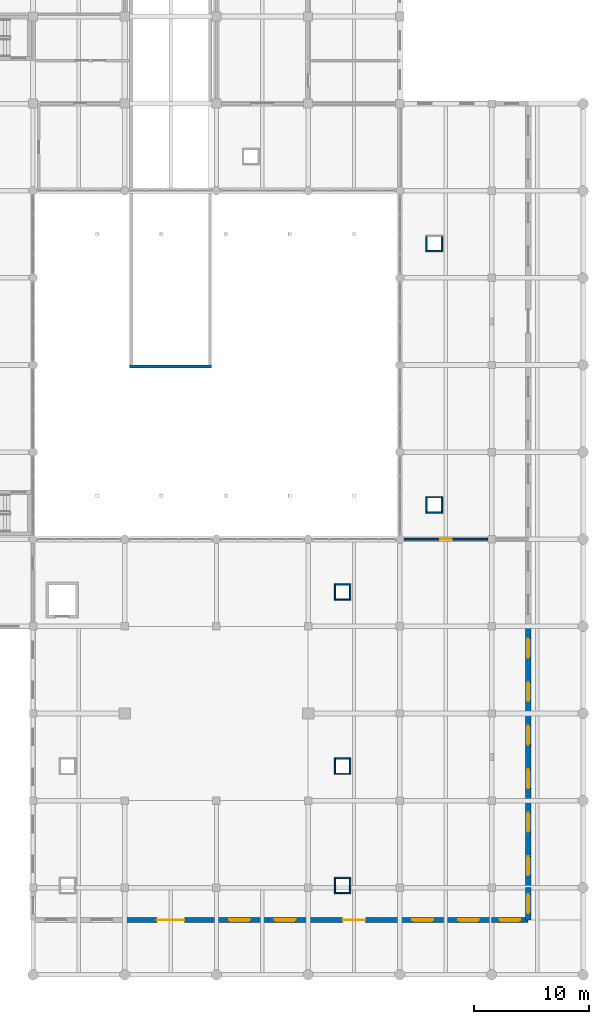
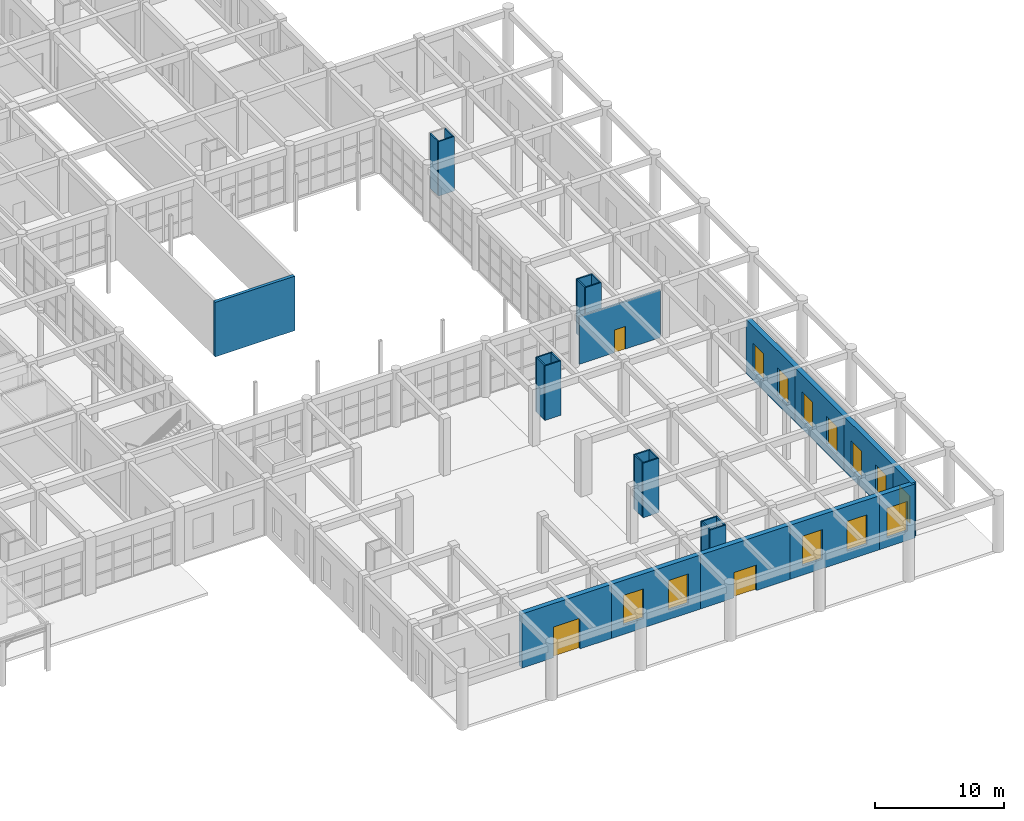
# One storey, part 81 of 95: 30 walls, 12 windows, 3 doors, 15 openings.
"""IFC4 building model written with IfcOpenShell, lengths in metres."""

from ifc_helpers import new_model, si_unit, direction, frame, frame_2d, origin, place, context, subcontext, project, spatial, rectangle, extrude, material, layer, layer_set, type_object, element, fill, save


model = new_model("IFC4")

# Units and contexts
model_context = context("Model", 3, precision=1e-05, world=origin(), true_north=direction((0.0, 1.0)))
body_context = subcontext(model_context, "Body", "Model", "MODEL_VIEW")
ifc_project = project(units=[si_unit("LENGTHUNIT", "METRE"), si_unit("AREAUNIT", "SQUARE_METRE"), si_unit("VOLUMEUNIT", "CUBIC_METRE"), si_unit("PLANEANGLEUNIT", "RADIAN"), si_unit("MASSUNIT", "GRAM", prefix="KILO")], contexts=[model_context])

# Site, building, storey
site_placement = place(None, origin())
site = spatial("IfcSite", under=ifc_project, at=site_placement, CompositionType="ELEMENT")
building_placement = place(site_placement, origin())
building = spatial("IfcBuilding", under=site, at=building_placement, Name="Zantavel Square City Hall", CompositionType="ELEMENT")
storey_placement = place(building_placement, origin())
storey = spatial("IfcBuildingStorey", under=building, at=storey_placement, Name="L01", CompositionType="ELEMENT", Elevation=0.0)

# Wall
ifc_material_1 = material(Name="Concrete C35/45", Category="concrete")
ifc_layer_1 = layer(ifc_material_1, 0.280029296875, Name="Concrete C35/45")
ifc_layer_set_1 = layer_set([ifc_layer_1], Name="Concrete C35/45")
wall_type_1 = type_object("IfcWallType", Name="Archive & Substation Vault Wall 280mm", PredefinedType="STANDARD", material=ifc_layer_set_1)
wall_1_placement = place(storey_placement, frame((135.580078125, 53.06005859375, 0.0), z_axis=(0.0, 0.0, 1.0), x_axis=(-1.0, 0.0, 0.0)))
element("IfcWall", 1, at=wall_1_placement, inside=storey, type_object=wall_type_1, Name="L01 Vehicle Ramp Shaft Wall S", PredefinedType="STANDARD", context=body_context, shape_type="SweptSolid", body=[
    extrude(rectangle(XDim=7.16015625, YDim=0.280029296875, at=frame_2d((3.580078125, 0.0))), origin(), (0.0, 0.0, 1.0), 5.159912109375),
])

# Wall, opening, door
ifc_material_2 = material(Name="Gypsum acoustic stud assembly", Category="masonry")
ifc_layer_2 = layer(ifc_material_2, 0.14990234375, Name="Gypsum acoustic stud assembly")
ifc_layer_set_2 = layer_set([ifc_layer_2], Name="Gypsum acoustic stud assembly")
wall_type_2 = type_object("IfcWallType", Name="Department Office Partition 150mm", PredefinedType="PARTITIONING", material=ifc_layer_set_2)
wall_2_placement = place(storey_placement, frame((152.385009765625, 38.0, 0.0), z_axis=(0.0, 0.0, 1.0), x_axis=(1.0, 0.0, 0.0)))
wall_2 = element("IfcWall", 2, at=wall_2_placement, inside=storey, type_object=wall_type_2, Name="L01 Interior Wall IW-L01-0130", PredefinedType="PARTITIONING", context=body_context, shape_type="SweptSolid", body=[
    extrude(rectangle(XDim=7.280029296875, YDim=0.14990234375, at=frame_2d((3.64013671875, 0.0))), origin(), (0.0, 0.0, 1.0), 4.510009765625),
])
opening_1_placement = place(wall_2_placement, frame((3.139892578125, 0.0, 0.0)))
opening_1 = element("IfcOpeningElement", 3, at=opening_1_placement, cuts=wall_2, Name="Opening D-0071", PredefinedType="OPENING", context=body_context, shape_type="SweptSolid", body=[
    extrude(rectangle(XDim=1.0, YDim=2.14990234375, at=frame_2d((0.5, 1.074951171875))), frame((0.0, 0.0849609375, 0.0), z_axis=(0.0, -1.0, 0.0), x_axis=(1.0, 0.0, 0.0)), (0.0, 0.0, 1.0), 0.169921875),
])
ifc_material_3 = material(Name="Solid oak hardwood", Category="wood")
door_type_1 = type_object("IfcDoorType", Name="Suite Internal Oak Single Door 1000x2150", OperationType="NOTDEFINED", PredefinedType="DOOR", material=ifc_material_3)
door_1_placement = place(opening_1_placement, origin())
door_1 = element("IfcDoor", 4, at=door_1_placement, inside=storey, type_object=door_type_1, Name="L01 Municipal Treasury Cashiers Hall Door", OperationType="SINGLE_SWING_LEFT", OverallHeight=2.14990234375, OverallWidth=1.0, PredefinedType="DOOR", context=body_context, shape_type="SweptSolid", body=[
    extrude(rectangle(XDim=1.0, YDim=2.14990234375, at=frame_2d((0.5, 1.074951171875))), frame((0.0, 0.02490234375, 0.0), z_axis=(0.0, -1.0, 0.0), x_axis=(1.0, 0.0, 0.0)), (0.0, 0.0, 1.0), 0.050048828125),
])
fill(opening_1, door_1)

# Walls
ifc_layer_3 = layer(ifc_material_1, 0.1201171875, Name="Concrete C35/45")
ifc_layer_set_3 = layer_set([ifc_layer_3], Name="Concrete C35/45")
wall_type_3 = type_object("IfcWallType", Name="Riser Chase Wall RC 120mm C35/45", PredefinedType="PARTITIONING", material=ifc_layer_set_3)
wall_3_placement = place(storey_placement, frame((147.719970703125, 7.139892578125, 0.0), z_axis=(0.0, 0.0, 1.0), x_axis=(-1.0, 0.0, 0.0)))
element("IfcWall", 5, at=wall_3_placement, inside=storey, type_object=wall_type_3, Name="L01 MEP Riser 07 Wall S", PredefinedType="PARTITIONING", context=body_context, shape_type="SweptSolid", body=[
    extrude(rectangle(XDim=1.43994140625, YDim=0.1201171875, at=frame_2d((0.719970703125, 0.0))), origin(), (0.0, 0.0, 1.0), 5.14990234375),
])
wall_4_placement = place(storey_placement, frame((146.340087890625, 7.199951171875, 0.0), z_axis=(0.0, 0.0, 1.0), x_axis=(0.0, 1.0, 0.0)))
element("IfcWall", 6, at=wall_4_placement, inside=storey, type_object=wall_type_3, Name="L01 MEP Riser 07 Wall W", PredefinedType="PARTITIONING", context=body_context, shape_type="SweptSolid", body=[
    extrude(rectangle(XDim=1.199951171875, YDim=0.1201171875, at=frame_2d((0.60009765625, 0.0))), origin(), (0.0, 0.0, 1.0), 5.14990234375),
])
wall_5_placement = place(storey_placement, frame((146.280029296875, 8.4599609375, 0.0), z_axis=(0.0, 0.0, 1.0), x_axis=(1.0, 0.0, 0.0)))
element("IfcWall", 7, at=wall_5_placement, inside=storey, type_object=wall_type_3, Name="L01 MEP Riser 07 Wall N", PredefinedType="PARTITIONING", context=body_context, shape_type="SweptSolid", body=[
    extrude(rectangle(XDim=1.43994140625, YDim=0.1201171875, at=frame_2d((0.719970703125, 0.0))), origin(), (0.0, 0.0, 1.0), 5.159912109375),
])
wall_6_placement = place(storey_placement, frame((147.659912109375, 8.39990234375, 0.0), z_axis=(0.0, 0.0, 1.0), x_axis=(0.0, -1.0, 0.0)))
element("IfcWall", 8, at=wall_6_placement, inside=storey, type_object=wall_type_3, Name="L01 MEP Riser 07 Wall E", PredefinedType="PARTITIONING", context=body_context, shape_type="SweptSolid", body=[
    extrude(rectangle(XDim=1.199951171875, YDim=0.1201171875, at=frame_2d((0.60009765625, 0.0))), origin(), (0.0, 0.0, 1.0), 5.14990234375),
])
wall_7_placement = place(storey_placement, frame((147.719970703125, 17.5400390625, 0.0), z_axis=(0.0, 0.0, 1.0), x_axis=(-1.0, 0.0, 0.0)))
element("IfcWall", 9, at=wall_7_placement, inside=storey, type_object=wall_type_3, Name="L01 MEP Riser 09 Wall S", PredefinedType="PARTITIONING", context=body_context, shape_type="SweptSolid", body=[
    extrude(rectangle(XDim=1.43994140625, YDim=0.1201171875, at=frame_2d((0.719970703125, 0.0))), origin(), (0.0, 0.0, 1.0), 5.159912109375),
])
wall_8_placement = place(storey_placement, frame((146.340087890625, 17.60009765625, 0.0), z_axis=(0.0, 0.0, 1.0), x_axis=(0.0, 1.0, 0.0)))
element("IfcWall", 10, at=wall_8_placement, inside=storey, type_object=wall_type_3, Name="L01 MEP Riser 09 Wall W", PredefinedType="PARTITIONING", context=body_context, shape_type="SweptSolid", body=[
    extrude(rectangle(XDim=1.199951171875, YDim=0.1201171875, at=frame_2d((0.60009765625, 0.0))), origin(), (0.0, 0.0, 1.0), 5.159912109375),
])
wall_9_placement = place(storey_placement, frame((146.280029296875, 18.860107421875, 0.0), z_axis=(0.0, 0.0, 1.0), x_axis=(1.0, 0.0, 0.0)))
element("IfcWall", 11, at=wall_9_placement, inside=storey, type_object=wall_type_3, Name="L01 MEP Riser 09 Wall N", PredefinedType="PARTITIONING", context=body_context, shape_type="SweptSolid", body=[
    extrude(rectangle(XDim=1.43994140625, YDim=0.1201171875, at=frame_2d((0.719970703125, 0.0))), origin(), (0.0, 0.0, 1.0), 5.159912109375),
])
wall_10_placement = place(storey_placement, frame((147.659912109375, 18.800048828125, 0.0), z_axis=(0.0, 0.0, 1.0), x_axis=(0.0, -1.0, 0.0)))
element("IfcWall", 12, at=wall_10_placement, inside=storey, type_object=wall_type_3, Name="L01 MEP Riser 09 Wall E", PredefinedType="PARTITIONING", context=body_context, shape_type="SweptSolid", body=[
    extrude(rectangle(XDim=1.199951171875, YDim=0.1201171875, at=frame_2d((0.60009765625, 0.0))), origin(), (0.0, 0.0, 1.0), 5.159912109375),
])
wall_11_placement = place(storey_placement, frame((147.719970703125, 32.739990234375, 0.0), z_axis=(0.0, 0.0, 1.0), x_axis=(-1.0, 0.0, 0.0)))
element("IfcWall", 13, at=wall_11_placement, inside=storey, type_object=wall_type_3, Name="L01 MEP Riser 10 Wall S", PredefinedType="PARTITIONING", context=body_context, shape_type="SweptSolid", body=[
    extrude(rectangle(XDim=1.43994140625, YDim=0.1201171875, at=frame_2d((0.719970703125, 0.0))), origin(), (0.0, 0.0, 1.0), 5.159912109375),
])
wall_12_placement = place(storey_placement, frame((146.340087890625, 32.800048828125, 0.0), z_axis=(0.0, 0.0, 1.0), x_axis=(0.0, 1.0, 0.0)))
element("IfcWall", 14, at=wall_12_placement, inside=storey, type_object=wall_type_3, Name="L01 MEP Riser 10 Wall W", PredefinedType="PARTITIONING", context=body_context, shape_type="SweptSolid", body=[
    extrude(rectangle(XDim=1.199951171875, YDim=0.1201171875, at=frame_2d((0.60009765625, 0.0))), origin(), (0.0, 0.0, 1.0), 5.159912109375),
])
wall_13_placement = place(storey_placement, frame((146.280029296875, 34.06005859375, 0.0), z_axis=(0.0, 0.0, 1.0), x_axis=(1.0, 0.0, 0.0)))
element("IfcWall", 15, at=wall_13_placement, inside=storey, type_object=wall_type_3, Name="L01 MEP Riser 10 Wall N", PredefinedType="PARTITIONING", context=body_context, shape_type="SweptSolid", body=[
    extrude(rectangle(XDim=1.43994140625, YDim=0.1201171875, at=frame_2d((0.719970703125, 0.0))), origin(), (0.0, 0.0, 1.0), 5.159912109375),
])
wall_14_placement = place(storey_placement, frame((147.659912109375, 34.0, 0.0), z_axis=(0.0, 0.0, 1.0), x_axis=(0.0, -1.0, 0.0)))
element("IfcWall", 16, at=wall_14_placement, inside=storey, type_object=wall_type_3, Name="L01 MEP Riser 10 Wall E", PredefinedType="PARTITIONING", context=body_context, shape_type="SweptSolid", body=[
    extrude(rectangle(XDim=1.199951171875, YDim=0.1201171875, at=frame_2d((0.60009765625, 0.0))), origin(), (0.0, 0.0, 1.0), 5.159912109375),
])
wall_15_placement = place(storey_placement, frame((155.719970703125, 40.340087890625, 0.0), z_axis=(0.0, 0.0, 1.0), x_axis=(-1.0, 0.0, 0.0)))
element("IfcWall", 17, at=wall_15_placement, inside=storey, type_object=wall_type_3, Name="L01 MEP Riser 11 Wall S", PredefinedType="PARTITIONING", context=body_context, shape_type="SweptSolid", body=[
    extrude(rectangle(XDim=1.43994140625, YDim=0.1201171875, at=frame_2d((0.719970703125, 0.0))), origin(), (0.0, 0.0, 1.0), 5.159912109375),
])
wall_16_placement = place(storey_placement, frame((154.340087890625, 40.39990234375, 0.0), z_axis=(0.0, 0.0, 1.0), x_axis=(0.0, 1.0, 0.0)))
element("IfcWall", 18, at=wall_16_placement, inside=storey, type_object=wall_type_3, Name="L01 MEP Riser 11 Wall W", PredefinedType="PARTITIONING", context=body_context, shape_type="SweptSolid", body=[
    extrude(rectangle(XDim=1.2001953125, YDim=0.1201171875, at=frame_2d((0.60009765625, 0.0))), origin(), (0.0, 0.0, 1.0), 5.159912109375),
])
wall_17_placement = place(storey_placement, frame((154.280029296875, 41.659912109375, 0.0), z_axis=(0.0, 0.0, 1.0), x_axis=(1.0, 0.0, 0.0)))
element("IfcWall", 19, at=wall_17_placement, inside=storey, type_object=wall_type_3, Name="L01 MEP Riser 11 Wall N", PredefinedType="PARTITIONING", context=body_context, shape_type="SweptSolid", body=[
    extrude(rectangle(XDim=1.43994140625, YDim=0.1201171875, at=frame_2d((0.719970703125, 0.0))), origin(), (0.0, 0.0, 1.0), 5.159912109375),
])
wall_18_placement = place(storey_placement, frame((155.659912109375, 41.60009765625, 0.0), z_axis=(0.0, 0.0, 1.0), x_axis=(0.0, -1.0, 0.0)))
element("IfcWall", 20, at=wall_18_placement, inside=storey, type_object=wall_type_3, Name="L01 MEP Riser 11 Wall E", PredefinedType="PARTITIONING", context=body_context, shape_type="SweptSolid", body=[
    extrude(rectangle(XDim=1.2001953125, YDim=0.1201171875, at=frame_2d((0.60009765625, 0.0))), origin(), (0.0, 0.0, 1.0), 5.159912109375),
])
wall_19_placement = place(storey_placement, frame((155.719970703125, 63.139892578125, 0.0), z_axis=(0.0, 0.0, 1.0), x_axis=(-1.0, 0.0, 0.0)))
element("IfcWall", 21, at=wall_19_placement, inside=storey, type_object=wall_type_3, Name="L01 MEP Riser 12 Wall S", PredefinedType="PARTITIONING", context=body_context, shape_type="SweptSolid", body=[
    extrude(rectangle(XDim=1.43994140625, YDim=0.1201171875, at=frame_2d((0.719970703125, 0.0))), origin(), (0.0, 0.0, 1.0), 5.159912109375),
])
for number, where, z_axis, x_axis, name in (
    (22, (154.340087890625, 63.199951171875, 0.0), (0.0, 0.0, 1.0), (0.0, 1.0, 0.0), "L01 MEP Riser 12 Wall W"),
    (23, (155.659912109375, 64.39990234375, 0.0), (0.0, 0.0, 1.0), (0.0, -1.0, 0.0), "L01 MEP Riser 12 Wall E"),
):
    element("IfcWall", number, at=place(storey_placement, frame(where, z_axis=z_axis, x_axis=x_axis)), inside=storey, type_object=wall_type_3, Name=name, PredefinedType="PARTITIONING", context=body_context, shape_type="SweptSolid", body=[
        extrude(rectangle(XDim=1.199951171875, YDim=0.1201171875, at=frame_2d((0.60009765625, 0.0))), origin(), (0.0, 0.0, 1.0), 5.159912109375),
    ])

# Wall, openings, windows
ifc_material_4 = material(Name="Tezontle volcanic basaltic scoria stone", Category="masonry")
ifc_layer_4 = layer(ifc_material_4, 0.43994140625, Name="Tezontle volcanic basaltic scoria stone")
ifc_layer_set_4 = layer_set([ifc_layer_4], Name="Tezontle volcanic basaltic scoria stone")
wall_type_4 = type_object("IfcWallType", Name="Tezontle Rusticated Plinth Wall 440mm", PredefinedType="STANDARD", material=ifc_layer_set_4)
wall_20_placement = place(storey_placement, frame((163.199951171875, 30.39990234375, 0.0), z_axis=(0.0, 0.0, 1.0), x_axis=(0.0, -1.0, 0.0)))
wall_20 = element("IfcWall", 24, at=wall_20_placement, inside=storey, type_object=wall_type_4, Name="L01 Exterior Wall EW-L01-060", PredefinedType="STANDARD", context=body_context, shape_type="SweptSolid", body=[
    extrude(rectangle(XDim=7.599853515625, YDim=0.43994140625, at=frame_2d((3.7998046875, 0.0))), origin(), (0.0, 0.0, 1.0), 5.1201171875),
])
opening_2_placement = place(wall_20_placement, frame((1.074951171875, 0.0, 0.89990234375)))
opening_2 = element("IfcOpeningElement", 25, at=opening_2_placement, cuts=wall_20, Name="Opening W-091", PredefinedType="OPENING", context=body_context, shape_type="SweptSolid", body=[
    extrude(rectangle(XDim=1.64990234375, YDim=2.60009765625, at=frame_2d((0.824951171875, 1.300048828125))), frame((0.0, 0.22998046875, 0.0), z_axis=(0.0, -1.0, 0.0), x_axis=(1.0, 0.0, 0.0)), (0.0, 0.0, 1.0), 0.4599609375),
])
opening_3_placement = place(wall_20_placement, frame((4.875, 0.0, 0.89990234375)))
opening_3 = element("IfcOpeningElement", 26, at=opening_3_placement, cuts=wall_20, Name="Opening W-092", PredefinedType="OPENING", context=body_context, shape_type="SweptSolid", body=[
    extrude(rectangle(XDim=1.64990234375, YDim=2.60009765625, at=frame_2d((0.824951171875, 1.300048828125))), frame((0.0, 0.22998046875, 0.0), z_axis=(0.0, -1.0, 0.0), x_axis=(1.0, 0.0, 0.0)), (0.0, 0.0, 1.0), 0.4599609375),
])
ifc_material_5 = material(Name="Tempered safety glass low-E double glazing", Category="glass")
window_type_1 = type_object("IfcWindowType", Name="Window Ground Civic Tall 1650x2600", PartitioningType="DOUBLE_PANEL_VERTICAL", PredefinedType="WINDOW", material=ifc_material_5)
window_1_placement = place(opening_2_placement, origin())
window_1 = element("IfcWindow", 27, at=window_1_placement, inside=storey, type_object=window_type_1, Name="L01 Window W-091", OverallHeight=2.60009765625, OverallWidth=1.64990234375, PartitioningType="DOUBLE_PANEL_VERTICAL", PredefinedType="WINDOW", context=body_context, shape_type="SweptSolid", body=[
    extrude(rectangle(XDim=1.64990234375, YDim=2.60009765625, at=frame_2d((0.824951171875, 1.300048828125))), frame((0.0, 0.030029296875, 0.0), z_axis=(0.0, -1.0, 0.0), x_axis=(1.0, 0.0, 0.0)), (0.0, 0.0, 1.0), 0.06005859375),
])
fill(opening_2, window_1)
window_2_placement = place(opening_3_placement, origin())
window_2 = element("IfcWindow", 28, at=window_2_placement, inside=storey, type_object=window_type_1, Name="L01 Window W-092", OverallHeight=2.60009765625, OverallWidth=1.64990234375, PartitioningType="DOUBLE_PANEL_VERTICAL", PredefinedType="WINDOW", context=body_context, shape_type="SweptSolid", body=[
    extrude(rectangle(XDim=1.64990234375, YDim=2.60009765625, at=frame_2d((0.824951171875, 1.300048828125))), frame((0.0, 0.030029296875, 0.0), z_axis=(0.0, -1.0, 0.0), x_axis=(1.0, 0.0, 0.0)), (0.0, 0.0, 1.0), 0.06005859375),
])
fill(opening_3, window_2)

wall_21_placement = place(storey_placement, frame((163.199951171875, 22.800048828125, 0.0), z_axis=(0.0, 0.0, 1.0), x_axis=(0.0, -1.0, 0.0)))
wall_21 = element("IfcWall", 29, at=wall_21_placement, inside=storey, type_object=wall_type_4, Name="L01 Exterior Wall EW-L01-061", PredefinedType="STANDARD", context=body_context, shape_type="SweptSolid", body=[
    extrude(rectangle(XDim=7.60009765625, YDim=0.43994140625, at=frame_2d((3.800048828125, 0.0))), origin(), (0.0, 0.0, 1.0), 5.1201171875),
])
opening_4_placement = place(wall_21_placement, frame((1.074951171875, 0.0, 0.89990234375)))
opening_4 = element("IfcOpeningElement", 30, at=opening_4_placement, cuts=wall_21, Name="Opening W-093", PredefinedType="OPENING", context=body_context, shape_type="SweptSolid", body=[
    extrude(rectangle(XDim=1.64990234375, YDim=2.60009765625, at=frame_2d((0.824951171875, 1.300048828125))), frame((0.0, 0.22998046875, 0.0), z_axis=(0.0, -1.0, 0.0), x_axis=(1.0, 0.0, 0.0)), (0.0, 0.0, 1.0), 0.4599609375),
])
opening_5_placement = place(wall_21_placement, frame((4.875, 0.0, 0.89990234375)))
opening_5 = element("IfcOpeningElement", 31, at=opening_5_placement, cuts=wall_21, Name="Opening W-094", PredefinedType="OPENING", context=body_context, shape_type="SweptSolid", body=[
    extrude(rectangle(XDim=1.64990234375, YDim=2.60009765625, at=frame_2d((0.824951171875, 1.300048828125))), frame((0.0, 0.22998046875, 0.0), z_axis=(0.0, -1.0, 0.0), x_axis=(1.0, 0.0, 0.0)), (0.0, 0.0, 1.0), 0.4599609375),
])
window_3_placement = place(opening_4_placement, origin())
window_3 = element("IfcWindow", 32, at=window_3_placement, inside=storey, type_object=window_type_1, Name="L01 Window W-093", OverallHeight=2.60009765625, OverallWidth=1.64990234375, PartitioningType="DOUBLE_PANEL_VERTICAL", PredefinedType="WINDOW", context=body_context, shape_type="SweptSolid", body=[
    extrude(rectangle(XDim=1.64990234375, YDim=2.60009765625, at=frame_2d((0.824951171875, 1.300048828125))), frame((0.0, 0.030029296875, 0.0), z_axis=(0.0, -1.0, 0.0), x_axis=(1.0, 0.0, 0.0)), (0.0, 0.0, 1.0), 0.06005859375),
])
fill(opening_4, window_3)
window_4_placement = place(opening_5_placement, origin())
window_4 = element("IfcWindow", 33, at=window_4_placement, inside=storey, type_object=window_type_1, Name="L01 Window W-094", OverallHeight=2.60009765625, OverallWidth=1.64990234375, PartitioningType="DOUBLE_PANEL_VERTICAL", PredefinedType="WINDOW", context=body_context, shape_type="SweptSolid", body=[
    extrude(rectangle(XDim=1.64990234375, YDim=2.60009765625, at=frame_2d((0.824951171875, 1.300048828125))), frame((0.0, 0.030029296875, 0.0), z_axis=(0.0, -1.0, 0.0), x_axis=(1.0, 0.0, 0.0)), (0.0, 0.0, 1.0), 0.06005859375),
])
fill(opening_5, window_4)

wall_22_placement = place(storey_placement, frame((163.199951171875, 15.199951171875, 0.0), z_axis=(0.0, 0.0, 1.0), x_axis=(0.0, -1.0, 0.0)))
wall_22 = element("IfcWall", 34, at=wall_22_placement, inside=storey, type_object=wall_type_4, Name="L01 Exterior Wall EW-L01-062", PredefinedType="STANDARD", context=body_context, shape_type="SweptSolid", body=[
    extrude(rectangle(XDim=7.599853515625, YDim=0.43994140625, at=frame_2d((3.7998046875, 0.0))), origin(), (0.0, 0.0, 1.0), 5.1201171875),
])
opening_6_placement = place(wall_22_placement, frame((1.074951171875, 0.0, 0.89990234375)))
opening_6 = element("IfcOpeningElement", 35, at=opening_6_placement, cuts=wall_22, Name="Opening W-095", PredefinedType="OPENING", context=body_context, shape_type="SweptSolid", body=[
    extrude(rectangle(XDim=1.64990234375, YDim=2.60009765625, at=frame_2d((0.824951171875, 1.300048828125))), frame((0.0, 0.22998046875, 0.0), z_axis=(0.0, -1.0, 0.0), x_axis=(1.0, 0.0, 0.0)), (0.0, 0.0, 1.0), 0.4599609375),
])
opening_7_placement = place(wall_22_placement, frame((4.875, 0.0, 0.89990234375)))
opening_7 = element("IfcOpeningElement", 36, at=opening_7_placement, cuts=wall_22, Name="Opening W-096", PredefinedType="OPENING", context=body_context, shape_type="SweptSolid", body=[
    extrude(rectangle(XDim=1.64990234375, YDim=2.60009765625, at=frame_2d((0.824951171875, 1.300048828125))), frame((0.0, 0.22998046875, 0.0), z_axis=(0.0, -1.0, 0.0), x_axis=(1.0, 0.0, 0.0)), (0.0, 0.0, 1.0), 0.4599609375),
])
window_5_placement = place(opening_6_placement, origin())
window_5 = element("IfcWindow", 37, at=window_5_placement, inside=storey, type_object=window_type_1, Name="L01 Window W-095", OverallHeight=2.60009765625, OverallWidth=1.64990234375, PartitioningType="DOUBLE_PANEL_VERTICAL", PredefinedType="WINDOW", context=body_context, shape_type="SweptSolid", body=[
    extrude(rectangle(XDim=1.64990234375, YDim=2.60009765625, at=frame_2d((0.824951171875, 1.300048828125))), frame((0.0, 0.030029296875, 0.0), z_axis=(0.0, -1.0, 0.0), x_axis=(1.0, 0.0, 0.0)), (0.0, 0.0, 1.0), 0.06005859375),
])
fill(opening_6, window_5)
window_6_placement = place(opening_7_placement, origin())
window_6 = element("IfcWindow", 38, at=window_6_placement, inside=storey, type_object=window_type_1, Name="L01 Window W-096", OverallHeight=2.60009765625, OverallWidth=1.64990234375, PartitioningType="DOUBLE_PANEL_VERTICAL", PredefinedType="WINDOW", context=body_context, shape_type="SweptSolid", body=[
    extrude(rectangle(XDim=1.64990234375, YDim=2.60009765625, at=frame_2d((0.824951171875, 1.300048828125))), frame((0.0, 0.030029296875, 0.0), z_axis=(0.0, -1.0, 0.0), x_axis=(1.0, 0.0, 0.0)), (0.0, 0.0, 1.0), 0.06005859375),
])
fill(opening_7, window_6)

# Wall, opening, window
wall_23_placement = place(storey_placement, frame((163.199951171875, 7.60009765625, 0.0), z_axis=(0.0, 0.0, 1.0), x_axis=(0.0, -1.0, 0.0)))
wall_23 = element("IfcWall", 39, at=wall_23_placement, inside=storey, type_object=wall_type_4, Name="L01 Exterior Wall EW-L01-063", PredefinedType="STANDARD", context=body_context, shape_type="SweptSolid", body=[
    extrude(rectangle(XDim=2.800048828125, YDim=0.43994140625, at=frame_2d((1.39990234375, 0.0))), origin(), (0.0, 0.0, 1.0), 5.1201171875),
])
opening_8_placement = place(wall_23_placement, frame((0.574951171875, 0.0, 0.89990234375)))
opening_8 = element("IfcOpeningElement", 40, at=opening_8_placement, cuts=wall_23, Name="Opening W-097", PredefinedType="OPENING", context=body_context, shape_type="SweptSolid", body=[
    extrude(rectangle(XDim=1.64990234375, YDim=2.60009765625, at=frame_2d((0.824951171875, 1.300048828125))), frame((0.0, 0.22998046875, 0.0), z_axis=(0.0, -1.0, 0.0), x_axis=(1.0, 0.0, 0.0)), (0.0, 0.0, 1.0), 0.4599609375),
])
window_7_placement = place(opening_8_placement, origin())
window_7 = element("IfcWindow", 41, at=window_7_placement, inside=storey, type_object=window_type_1, Name="L01 Window W-097", OverallHeight=2.60009765625, OverallWidth=1.64990234375, PartitioningType="DOUBLE_PANEL_VERTICAL", PredefinedType="WINDOW", context=body_context, shape_type="SweptSolid", body=[
    extrude(rectangle(XDim=1.64990234375, YDim=2.60009765625, at=frame_2d((0.824951171875, 1.300048828125))), frame((0.0, 0.030029296875, 0.0), z_axis=(0.0, -1.0, 0.0), x_axis=(1.0, 0.0, 0.0)), (0.0, 0.0, 1.0), 0.06005859375),
])
fill(opening_8, window_7)

wall_24_placement = place(storey_placement, frame((163.199951171875, 4.800048828125, 0.0), z_axis=(0.0, 0.0, 1.0), x_axis=(-1.0, 0.0, 0.0)))
wall_24 = element("IfcWall", 42, at=wall_24_placement, inside=storey, type_object=wall_type_4, Name="L01 Exterior Wall EW-L01-064", PredefinedType="STANDARD", context=body_context, shape_type="SweptSolid", body=[
    extrude(rectangle(XDim=3.199951171875, YDim=0.43994140625, at=frame_2d((1.60009765625, 0.0))), origin(), (0.0, 0.0, 1.0), 5.1201171875),
])
opening_9_placement = place(wall_24_placement, frame((0.699951171875, 0.0, 0.89990234375)))
opening_9 = element("IfcOpeningElement", 43, at=opening_9_placement, cuts=wall_24, Name="Opening W-098", PredefinedType="OPENING", context=body_context, shape_type="SweptSolid", body=[
    extrude(rectangle(XDim=1.800048828125, YDim=2.800048828125, at=frame_2d((0.89990234375, 1.39990234375))), frame((0.0, 0.22998046875, 0.0), z_axis=(0.0, -1.0, 0.0), x_axis=(1.0, 0.0, 0.0)), (0.0, 0.0, 1.0), 0.4599609375),
])
window_type_2 = type_object("IfcWindowType", Name="Window Portales Grand Arch 1800x2800", PartitioningType="DOUBLE_PANEL_VERTICAL", PredefinedType="WINDOW", material=ifc_material_5)
window_8_placement = place(opening_9_placement, origin())
window_8 = element("IfcWindow", 44, at=window_8_placement, inside=storey, type_object=window_type_2, Name="L01 Window W-098", OverallHeight=2.800048828125, OverallWidth=1.800048828125, PartitioningType="DOUBLE_PANEL_VERTICAL", PredefinedType="WINDOW", context=body_context, shape_type="SweptSolid", body=[
    extrude(rectangle(XDim=1.800048828125, YDim=2.800048828125, at=frame_2d((0.89990234375, 1.39990234375))), frame((0.0, 0.030029296875, 0.0), z_axis=(0.0, -1.0, 0.0), x_axis=(1.0, 0.0, 0.0)), (0.0, 0.0, 1.0), 0.06005859375),
])
fill(opening_9, window_8)

# Wall, openings, windows
wall_25_placement = place(storey_placement, frame((160.0, 4.800048828125, 0.0), z_axis=(0.0, 0.0, 1.0), x_axis=(-1.0, 0.0, 0.0)))
wall_25 = element("IfcWall", 45, at=wall_25_placement, inside=storey, type_object=wall_type_4, Name="L01 Exterior Wall EW-L01-065", PredefinedType="STANDARD", context=body_context, shape_type="SweptSolid", body=[
    extrude(rectangle(XDim=8.0, YDim=0.43994140625, at=frame_2d((4.0, 0.0))), origin(), (0.0, 0.0, 1.0), 5.1201171875),
])
opening_10_placement = place(wall_25_placement, frame((1.10009765625, 0.0, 0.89990234375)))
opening_10 = element("IfcOpeningElement", 46, at=opening_10_placement, cuts=wall_25, Name="Opening W-099", PredefinedType="OPENING", context=body_context, shape_type="SweptSolid", body=[
    extrude(rectangle(XDim=1.800048828125, YDim=2.800048828125, at=frame_2d((0.89990234375, 1.39990234375))), frame((0.0, 0.22998046875, 0.0), z_axis=(0.0, -1.0, 0.0), x_axis=(1.0, 0.0, 0.0)), (0.0, 0.0, 1.0), 0.4599609375),
])
opening_11_placement = place(wall_25_placement, frame((5.10009765625, 0.0, 0.89990234375)))
opening_11 = element("IfcOpeningElement", 47, at=opening_11_placement, cuts=wall_25, Name="Opening W-100", PredefinedType="OPENING", context=body_context, shape_type="SweptSolid", body=[
    extrude(rectangle(XDim=1.800048828125, YDim=2.800048828125, at=frame_2d((0.89990234375, 1.39990234375))), frame((0.0, 0.22998046875, 0.0), z_axis=(0.0, -1.0, 0.0), x_axis=(1.0, 0.0, 0.0)), (0.0, 0.0, 1.0), 0.4599609375),
])
window_9_placement = place(opening_10_placement, origin())
window_9 = element("IfcWindow", 48, at=window_9_placement, inside=storey, type_object=window_type_2, Name="L01 Window W-099", OverallHeight=2.800048828125, OverallWidth=1.800048828125, PartitioningType="DOUBLE_PANEL_VERTICAL", PredefinedType="WINDOW", context=body_context, shape_type="SweptSolid", body=[
    extrude(rectangle(XDim=1.800048828125, YDim=2.800048828125, at=frame_2d((0.89990234375, 1.39990234375))), frame((0.0, 0.030029296875, 0.0), z_axis=(0.0, -1.0, 0.0), x_axis=(1.0, 0.0, 0.0)), (0.0, 0.0, 1.0), 0.06005859375),
])
fill(opening_10, window_9)
window_10_placement = place(opening_11_placement, origin())
window_10 = element("IfcWindow", 49, at=window_10_placement, inside=storey, type_object=window_type_2, Name="L01 Window W-100", OverallHeight=2.800048828125, OverallWidth=1.800048828125, PartitioningType="DOUBLE_PANEL_VERTICAL", PredefinedType="WINDOW", context=body_context, shape_type="SweptSolid", body=[
    extrude(rectangle(XDim=1.800048828125, YDim=2.800048828125, at=frame_2d((0.89990234375, 1.39990234375))), frame((0.0, 0.030029296875, 0.0), z_axis=(0.0, -1.0, 0.0), x_axis=(1.0, 0.0, 0.0)), (0.0, 0.0, 1.0), 0.06005859375),
])
fill(opening_11, window_10)

# Wall, opening, door
wall_26_placement = place(storey_placement, frame((152.0, 4.800048828125, 0.0), z_axis=(0.0, 0.0, 1.0), x_axis=(-1.0, 0.0, 0.0)))
wall_26 = element("IfcWall", 50, at=wall_26_placement, inside=storey, type_object=wall_type_4, Name="L01 Exterior Wall EW-L01-066", PredefinedType="STANDARD", context=body_context, shape_type="SweptSolid", body=[
    extrude(rectangle(XDim=8.0, YDim=0.43994140625, at=frame_2d((4.0, 0.0))), origin(), (0.0, 0.0, 1.0), 5.1201171875),
])
opening_12_placement = place(wall_26_placement, frame((3.0, 0.0, 0.0)))
opening_12 = element("IfcOpeningElement", 51, at=opening_12_placement, cuts=wall_26, Name="Opening ED-009", PredefinedType="OPENING", context=body_context, shape_type="SweptSolid", body=[
    extrude(rectangle(XDim=2.0, YDim=2.39990234375, at=frame_2d((1.0, 1.199951171875))), frame((0.0, 0.22998046875, 0.0), z_axis=(0.0, -1.0, 0.0), x_axis=(1.0, 0.0, 0.0)), (0.0, 0.0, 1.0), 0.4599609375),
])
ifc_material_6 = material(Name="Anodised aluminium 6063-T6", Category="aluminium")
door_type_2 = type_object("IfcDoorType", Name="Plaza Final Exit Double Door 2000x2400", OperationType="NOTDEFINED", PredefinedType="DOOR", material=ifc_material_6)
door_2_placement = place(opening_12_placement, origin())
door_2 = element("IfcDoor", 52, at=door_2_placement, inside=storey, type_object=door_type_2, Name="Citizen Service Centre East Exit", OperationType="DOUBLE_DOOR_SINGLE_SWING", OverallHeight=2.39990234375, OverallWidth=2.0, PredefinedType="DOOR", context=body_context, shape_type="SweptSolid", body=[
    extrude(rectangle(XDim=2.0, YDim=2.39990234375, at=frame_2d((1.0, 1.199951171875))), frame((0.0, 0.02490234375, 0.0), z_axis=(0.0, -1.0, 0.0), x_axis=(1.0, 0.0, 0.0)), (0.0, 0.0, 1.0), 0.050048828125),
])
fill(opening_12, door_2)

# Wall, openings, windows
wall_27_placement = place(storey_placement, frame((144.0, 4.800048828125, 0.0), z_axis=(0.0, 0.0, 1.0), x_axis=(-1.0, 0.0, 0.0)))
wall_27 = element("IfcWall", 53, at=wall_27_placement, inside=storey, type_object=wall_type_4, Name="L01 Exterior Wall EW-L01-067", PredefinedType="STANDARD", context=body_context, shape_type="SweptSolid", body=[
    extrude(rectangle(XDim=8.0, YDim=0.43994140625, at=frame_2d((4.0, 0.0))), origin(), (0.0, 0.0, 1.0), 5.1201171875),
])
opening_13_placement = place(wall_27_placement, frame((1.10009765625, 0.0, 0.89990234375)))
opening_13 = element("IfcOpeningElement", 54, at=opening_13_placement, cuts=wall_27, Name="Opening W-101", PredefinedType="OPENING", context=body_context, shape_type="SweptSolid", body=[
    extrude(rectangle(XDim=1.800048828125, YDim=2.800048828125, at=frame_2d((0.89990234375, 1.39990234375))), frame((0.0, 0.22998046875, 0.0), z_axis=(0.0, -1.0, 0.0), x_axis=(1.0, 0.0, 0.0)), (0.0, 0.0, 1.0), 0.4599609375),
])
opening_14_placement = place(wall_27_placement, frame((5.10009765625, 0.0, 0.89990234375)))
opening_14 = element("IfcOpeningElement", 55, at=opening_14_placement, cuts=wall_27, Name="Opening W-102", PredefinedType="OPENING", context=body_context, shape_type="SweptSolid", body=[
    extrude(rectangle(XDim=1.800048828125, YDim=2.800048828125, at=frame_2d((0.89990234375, 1.39990234375))), frame((0.0, 0.22998046875, 0.0), z_axis=(0.0, -1.0, 0.0), x_axis=(1.0, 0.0, 0.0)), (0.0, 0.0, 1.0), 0.4599609375),
])
window_11_placement = place(opening_13_placement, origin())
window_11 = element("IfcWindow", 56, at=window_11_placement, inside=storey, type_object=window_type_2, Name="L01 Window W-101", OverallHeight=2.800048828125, OverallWidth=1.800048828125, PartitioningType="DOUBLE_PANEL_VERTICAL", PredefinedType="WINDOW", context=body_context, shape_type="SweptSolid", body=[
    extrude(rectangle(XDim=1.800048828125, YDim=2.800048828125, at=frame_2d((0.89990234375, 1.39990234375))), frame((0.0, 0.030029296875, 0.0), z_axis=(0.0, -1.0, 0.0), x_axis=(1.0, 0.0, 0.0)), (0.0, 0.0, 1.0), 0.06005859375),
])
fill(opening_13, window_11)
window_12_placement = place(opening_14_placement, origin())
window_12 = element("IfcWindow", 57, at=window_12_placement, inside=storey, type_object=window_type_2, Name="L01 Window W-102", OverallHeight=2.800048828125, OverallWidth=1.800048828125, PartitioningType="DOUBLE_PANEL_VERTICAL", PredefinedType="WINDOW", context=body_context, shape_type="SweptSolid", body=[
    extrude(rectangle(XDim=1.800048828125, YDim=2.800048828125, at=frame_2d((0.89990234375, 1.39990234375))), frame((0.0, 0.030029296875, 0.0), z_axis=(0.0, -1.0, 0.0), x_axis=(1.0, 0.0, 0.0)), (0.0, 0.0, 1.0), 0.06005859375),
])
fill(opening_14, window_12)

# Wall, opening, door
wall_28_placement = place(storey_placement, frame((136.0, 4.800048828125, 0.0), z_axis=(0.0, 0.0, 1.0), x_axis=(-1.0, 0.0, 0.0)))
wall_28 = element("IfcWall", 58, at=wall_28_placement, inside=storey, type_object=wall_type_4, Name="L01 Exterior Wall EW-L01-068", PredefinedType="STANDARD", context=body_context, shape_type="SweptSolid", body=[
    extrude(rectangle(XDim=8.0, YDim=0.43994140625, at=frame_2d((4.0, 0.0))), origin(), (0.0, 0.0, 1.0), 5.1201171875),
])
opening_15_placement = place(wall_28_placement, frame((2.800048828125, 0.0, 0.0)))
opening_15 = element("IfcOpeningElement", 59, at=opening_15_placement, cuts=wall_28, Name="Opening ED-010", PredefinedType="OPENING", context=body_context, shape_type="SweptSolid", body=[
    extrude(rectangle(XDim=2.39990234375, YDim=2.89990234375, at=frame_2d((1.199951171875, 1.449951171875))), frame((0.0, 0.22998046875, 0.0), z_axis=(0.0, -1.0, 0.0), x_axis=(1.0, 0.0, 0.0)), (0.0, 0.0, 1.0), 0.4599609375),
])
door_type_3 = type_object("IfcDoorType", Name="Public Hall Grand Entrance Door 2400x2900", OperationType="NOTDEFINED", PredefinedType="DOOR", material=ifc_material_3)
door_3_placement = place(opening_15_placement, origin())
door_3 = element("IfcDoor", 60, at=door_3_placement, inside=storey, type_object=door_type_3, Name="Citizen Service Centre West Pedestrian Entrance", OperationType="DOUBLE_DOOR_SINGLE_SWING", OverallHeight=2.89990234375, OverallWidth=2.39990234375, PredefinedType="DOOR", context=body_context, shape_type="SweptSolid", body=[
    extrude(rectangle(XDim=2.39990234375, YDim=2.89990234375, at=frame_2d((1.199951171875, 1.449951171875))), frame((0.0, 0.02490234375, 0.0), z_axis=(0.0, -1.0, 0.0), x_axis=(1.0, 0.0, 0.0)), (0.0, 0.0, 1.0), 0.050048828125),
])
fill(opening_15, door_3)

save(model, "model.ifc")
